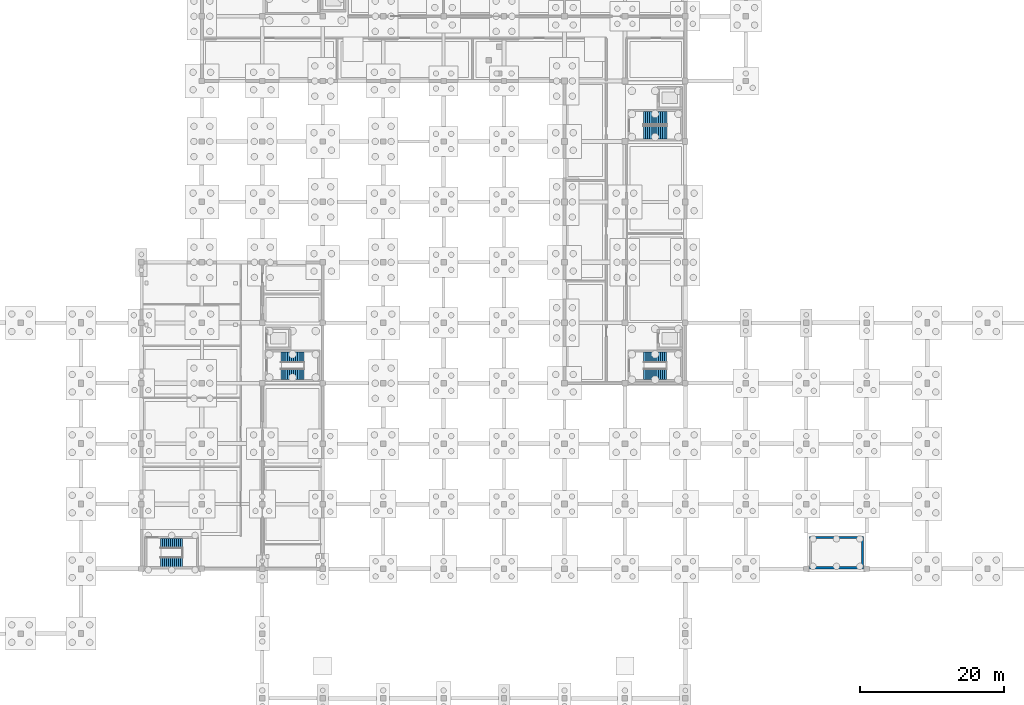
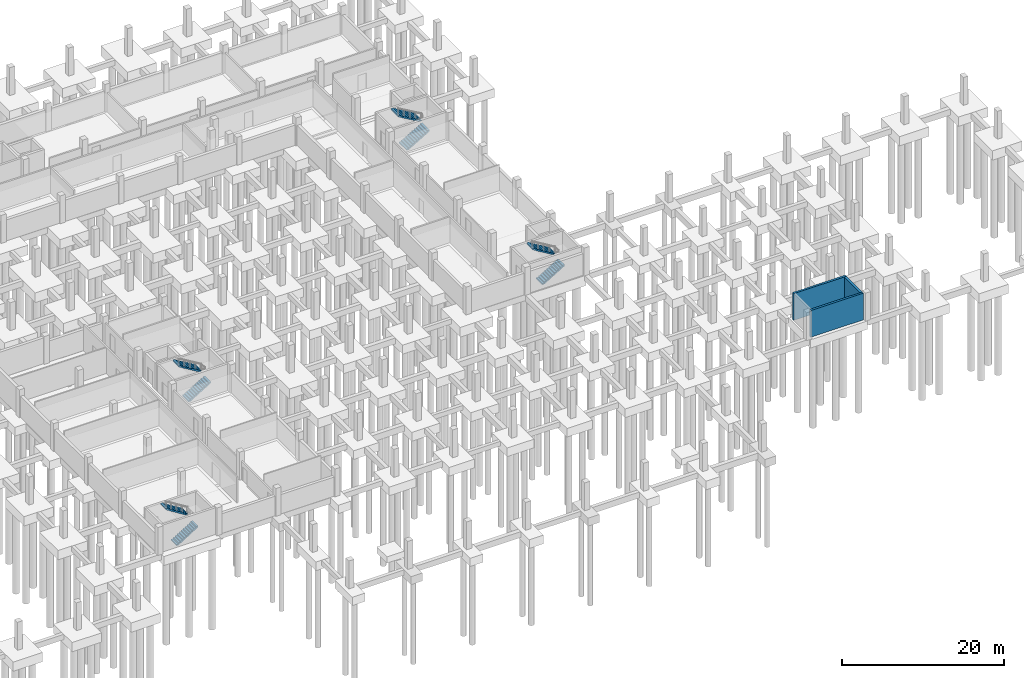
# One storey, part 16 of 20: 8 stair flights, 3 walls, 4 elements without a shape of their own.
"""IFC4 building model written with IfcOpenShell, lengths in metres."""

from ifc_helpers import new_model, si_unit, direction, frame, frame_2d, origin, place, context, subcontext, project, spatial, polyline, rectangle, outline, extrude, material, layer, layer_set, type_object, element, aggregate, save


model = new_model("IFC4")

# Units and contexts
model_context = context("Model", 3, precision=1e-05, world=origin(), true_north=direction((0.0, 1.0)))
body_context = subcontext(model_context, "Body", "Model", "MODEL_VIEW")
ifc_project = project(units=[si_unit("LENGTHUNIT", "METRE"), si_unit("AREAUNIT", "SQUARE_METRE"), si_unit("VOLUMEUNIT", "CUBIC_METRE"), si_unit("PLANEANGLEUNIT", "RADIAN"), si_unit("MASSUNIT", "GRAM", prefix="KILO")], contexts=[model_context])

# Site, building, storey
site_placement = place(None, origin())
site = spatial("IfcSite", under=ifc_project, at=site_placement, CompositionType="ELEMENT")
building_placement = place(site_placement, origin())
building = spatial("IfcBuilding", under=site, at=building_placement, Name="Vireocrest Preparatory School", CompositionType="ELEMENT")
storey_placement = place(building_placement, frame((0.0, 0.0, -4.199951171875)))
storey = spatial("IfcBuildingStorey", under=building, at=storey_placement, Name="B01", CompositionType="ELEMENT", Elevation=-4.199951171875)

# Walls
ifc_material_1 = material(Name="Concrete 45 MPa", Category="concrete")
ifc_layer = layer(ifc_material_1, 0.300048828125)
ifc_layer_set = layer_set([ifc_layer], Name="Concrete 45 MPa")
wall_type = type_object("IfcWallType", Name="Two-Hour RC Stair Shaft Shear Wall 300", PredefinedType="SHEAR", material=ifc_layer_set)
for number, where, z_axis, x_axis, name in (
    (1, (126.449951171875, 18.14990234375, 0.0), (0.0, 0.0, 1.0), (1.0, 0.0, 0.0), "Stair Core Shear Wall ST6 B01-S"),
    (2, (126.449951171875, 22.35009765625, 0.0), (0.0, 0.0, 1.0), (1.0, 0.0, 0.0), "Stair Core Shear Wall ST6 B01-N"),
):
    element("IfcWall", number, at=place(storey_placement, frame(where, z_axis=z_axis, x_axis=x_axis)), inside=storey, type_object=wall_type, Name=name, PredefinedType="SHEAR", context=body_context, shape_type="SweptSolid", body=[
        extrude(rectangle(XDim=7.5, YDim=0.300048828125, at=frame_2d((3.75, 0.0))), origin(), (0.0, 0.0, 1.0), 4.02490234375),
    ])
wall_placement = place(storey_placement, frame((133.800048828125, 18.300048828125, 0.0), z_axis=(0.0, 0.0, 1.0), x_axis=(0.0, 1.0, 0.0)))
element("IfcWall", 3, at=wall_placement, inside=storey, type_object=wall_type, Name="Stair Core Shear Wall ST6 B01-E", PredefinedType="SHEAR", context=body_context, shape_type="SweptSolid", body=[
    extrude(rectangle(XDim=3.89990234375, YDim=0.300048828125, at=frame_2d((1.949951171875, 0.0))), origin(), (0.0, 0.0, 1.0), 4.02490234375),
])

# Stair, stair flights
ifc_material_2 = material(Name="Concrete 40 MPa", Category="concrete")
stair_type_1 = type_object("IfcStairType", Name="Basement Service Stair 4200 Rise 1350 Wide", PredefinedType="HALF_TURN_STAIR", material=ifc_material_2)
stair_1_placement = place(storey_placement, origin())
stair_1 = element("IfcStair", 4, at=stair_1_placement, inside=storey, type_object=stair_type_1, Name="Two-Run Stair ST5-B01", PredefinedType="HALF_TURN_STAIR")
stair_flight_type_1 = type_object("IfcStairFlightType", Name="Stair Flight 2100 Rise 1350 Wide", PredefinedType="STRAIGHT", material=ifc_material_2)
stair_flight_1_placement = place(storey_placement, frame((36.260009765625, 18.955078125, 0.0), z_axis=(0.0, 0.0, 1.0), x_axis=(1.0, 0.0, 0.0)))
stair_flight_1 = element("IfcStairFlight", 5, at=stair_flight_1_placement, type_object=stair_flight_type_1, Name="Stair Flight ST5-B01-F1", NumberOfRisers=12, NumberOfTreads=11, PredefinedType="STRAIGHT", RiserHeight=0.175, TreadLength=0.28, context=body_context, shape_type="SweptSolid", body=[
    extrude(outline(polyline([(0.0, 0.0), (0.0, 0.175048828125), (0.280029296875, 0.175048828125), (0.280029296875, 0.35009765625), (0.56005859375, 0.35009765625), (0.56005859375, 0.52490234375), (0.840087890625, 0.52490234375), (0.840087890625, 0.699951171875), (1.1201171875, 0.699951171875), (1.1201171875, 0.875), (1.39990234375, 0.875), (1.39990234375, 1.050048828125), (1.679931640625, 1.050048828125), (1.679931640625, 1.22509765625), (1.9599609375, 1.22509765625), (1.9599609375, 1.39990234375), (2.239990234375, 1.39990234375), (2.239990234375, 1.574951171875), (2.52001953125, 1.574951171875), (2.52001953125, 1.75), (2.800048828125, 1.75), (2.800048828125, 1.925048828125), (3.080078125, 1.925048828125), (3.080078125, 2.10009765625), (3.080078125, 1.736328125), (0.3017578125, 0.0), (0.0, 0.0)])), frame((0.0, 0.675048828125, 0.0), z_axis=(0.0, -1.0, 0.0), x_axis=(1.0, 0.0, 0.0)), (0.0, 0.0, 1.0), 1.35009765625),
])
stair_flight_2_placement = place(storey_placement, frame((39.340087890625, 21.544921875, 2.099853515625), z_axis=(0.0, 0.0, 1.0), x_axis=(-1.0, 0.0, 0.0)))
stair_flight_2 = element("IfcStairFlight", 6, at=stair_flight_2_placement, type_object=stair_flight_type_1, Name="Stair Flight ST5-B01-F2", NumberOfRisers=12, NumberOfTreads=11, PredefinedType="STRAIGHT", RiserHeight=0.175, TreadLength=0.28, context=body_context, shape_type="SweptSolid", body=[
    extrude(outline(polyline([(0.0, 0.0), (0.0, 0.175048828125), (0.280029296875, 0.175048828125), (0.280029296875, 0.35009765625), (0.56005859375, 0.35009765625), (0.56005859375, 0.52490234375), (0.840087890625, 0.52490234375), (0.840087890625, 0.699951171875), (1.1201171875, 0.699951171875), (1.1201171875, 0.875), (1.39990234375, 0.875), (1.39990234375, 1.050048828125), (1.679931640625, 1.050048828125), (1.679931640625, 1.22509765625), (1.9599609375, 1.22509765625), (1.9599609375, 1.39990234375), (2.239990234375, 1.39990234375), (2.239990234375, 1.574951171875), (2.52001953125, 1.574951171875), (2.52001953125, 1.75), (2.800048828125, 1.75), (2.800048828125, 1.925048828125), (3.080078125, 1.925048828125), (3.080078125, 2.10009765625), (3.080078125, 1.736328125), (0.3017578125, 0.0), (0.0, 0.0)])), frame((0.0, 0.675048828125, 0.0), z_axis=(0.0, -1.0, 0.0), x_axis=(1.0, 0.0, 0.0)), (0.0, 0.0, 1.0), 1.35009765625),
])
aggregate(stair_1, [stair_flight_1, stair_flight_2])

stair_type_2 = type_object("IfcStairType", Name="Two-Run Exit Stair 4200 Rise 1500 Wide", PredefinedType="HALF_TURN_STAIR", material=ifc_material_2)
stair_2_placement = place(storey_placement, origin())
stair_2 = element("IfcStair", 7, at=stair_2_placement, inside=storey, type_object=stair_type_2, Name="Two-Run Stair ST1-B01", PredefinedType="HALF_TURN_STAIR")
stair_flight_type_2 = type_object("IfcStairFlightType", Name="Stair Flight 2100 Rise 1500 Wide", PredefinedType="STRAIGHT", material=ifc_material_2)
stair_flight_3_placement = place(storey_placement, frame((53.0048828125, 45.080078125, 0.0), z_axis=(0.0, 0.0, 1.0), x_axis=(1.0, 0.0, 0.0)))
stair_flight_3 = element("IfcStairFlight", 8, at=stair_flight_3_placement, type_object=stair_flight_type_2, Name="Stair Flight ST1-B01-F1", NumberOfRisers=12, NumberOfTreads=11, PredefinedType="STRAIGHT", RiserHeight=0.175, TreadLength=0.29, context=body_context, shape_type="SweptSolid", body=[
    extrude(outline(polyline([(0.0, 0.0), (0.0, 0.175048828125), (0.2900390625, 0.175048828125), (0.2900390625, 0.35009765625), (0.580078125, 0.35009765625), (0.580078125, 0.52490234375), (0.8701171875, 0.52490234375), (0.8701171875, 0.699951171875), (1.159912109375, 0.699951171875), (1.159912109375, 0.875), (1.449951171875, 0.875), (1.449951171875, 1.050048828125), (1.739990234375, 1.050048828125), (1.739990234375, 1.22509765625), (2.030029296875, 1.22509765625), (2.030029296875, 1.39990234375), (2.320068359375, 1.39990234375), (2.320068359375, 1.574951171875), (2.610107421875, 1.574951171875), (2.610107421875, 1.75), (2.89990234375, 1.75), (2.89990234375, 1.925048828125), (3.18994140625, 1.925048828125), (3.18994140625, 2.10009765625), (3.18994140625, 1.73828125), (0.3095703125, 0.0), (0.0, 0.0)])), frame((0.0, 0.75, 0.0), z_axis=(0.0, -1.0, 0.0), x_axis=(1.0, 0.0, 0.0)), (0.0, 0.0, 1.0), 1.5),
])
stair_flight_4_placement = place(storey_placement, frame((56.195068359375, 47.419921875, 2.099853515625), z_axis=(0.0, 0.0, 1.0), x_axis=(-1.0, 0.0, 0.0)))
stair_flight_4 = element("IfcStairFlight", 9, at=stair_flight_4_placement, type_object=stair_flight_type_2, Name="Stair Flight ST1-B01-F2", NumberOfRisers=12, NumberOfTreads=11, PredefinedType="STRAIGHT", RiserHeight=0.175, TreadLength=0.29, context=body_context, shape_type="SweptSolid", body=[
    extrude(outline(polyline([(0.0, 0.0), (0.0, 0.175048828125), (0.2900390625, 0.175048828125), (0.2900390625, 0.35009765625), (0.580078125, 0.35009765625), (0.580078125, 0.52490234375), (0.8701171875, 0.52490234375), (0.8701171875, 0.699951171875), (1.159912109375, 0.699951171875), (1.159912109375, 0.875), (1.449951171875, 0.875), (1.449951171875, 1.050048828125), (1.739990234375, 1.050048828125), (1.739990234375, 1.22509765625), (2.030029296875, 1.22509765625), (2.030029296875, 1.39990234375), (2.320068359375, 1.39990234375), (2.320068359375, 1.574951171875), (2.610107421875, 1.574951171875), (2.610107421875, 1.75), (2.89990234375, 1.75), (2.89990234375, 1.925048828125), (3.18994140625, 1.925048828125), (3.18994140625, 2.10009765625), (3.18994140625, 1.73828125), (0.3095703125, 0.0), (0.0, 0.0)])), frame((0.0, 0.75, 0.0), z_axis=(0.0, -1.0, 0.0), x_axis=(1.0, 0.0, 0.0)), (0.0, 0.0, 1.0), 1.5),
])
aggregate(stair_2, [stair_flight_3, stair_flight_4])

stair_3_placement = place(storey_placement, origin())
stair_3 = element("IfcStair", 10, at=stair_3_placement, inside=storey, type_object=stair_type_2, Name="Two-Run Stair ST2-B01", PredefinedType="HALF_TURN_STAIR")
stair_flight_5_placement = place(storey_placement, frame((103.405029296875, 45.080078125, 0.0), z_axis=(0.0, 0.0, 1.0), x_axis=(1.0, 0.0, 0.0)))
stair_flight_5 = element("IfcStairFlight", 11, at=stair_flight_5_placement, type_object=stair_flight_type_2, Name="Stair Flight ST2-B01-F1", NumberOfRisers=12, NumberOfTreads=11, PredefinedType="STRAIGHT", RiserHeight=0.175, TreadLength=0.29, context=body_context, shape_type="SweptSolid", body=[
    extrude(outline(polyline([(0.0, 0.0), (0.0, 0.175048828125), (0.2900390625, 0.175048828125), (0.2900390625, 0.35009765625), (0.580078125, 0.35009765625), (0.580078125, 0.52490234375), (0.8701171875, 0.52490234375), (0.8701171875, 0.699951171875), (1.159912109375, 0.699951171875), (1.159912109375, 0.875), (1.449951171875, 0.875), (1.449951171875, 1.050048828125), (1.739990234375, 1.050048828125), (1.739990234375, 1.22509765625), (2.030029296875, 1.22509765625), (2.030029296875, 1.39990234375), (2.320068359375, 1.39990234375), (2.320068359375, 1.574951171875), (2.610107421875, 1.574951171875), (2.610107421875, 1.75), (2.89990234375, 1.75), (2.89990234375, 1.925048828125), (3.18994140625, 1.925048828125), (3.18994140625, 2.10009765625), (3.18994140625, 1.73828125), (0.3095703125, 0.0), (0.0, 0.0)])), frame((0.0, 0.75, 0.0), z_axis=(0.0, -1.0, 0.0), x_axis=(1.0, 0.0, 0.0)), (0.0, 0.0, 1.0), 1.5),
])
stair_flight_6_placement = place(storey_placement, frame((106.594970703125, 47.419921875, 2.099853515625), z_axis=(0.0, 0.0, 1.0), x_axis=(-1.0, 0.0, 0.0)))
stair_flight_6 = element("IfcStairFlight", 12, at=stair_flight_6_placement, type_object=stair_flight_type_2, Name="Stair Flight ST2-B01-F2", NumberOfRisers=12, NumberOfTreads=11, PredefinedType="STRAIGHT", RiserHeight=0.175, TreadLength=0.29, context=body_context, shape_type="SweptSolid", body=[
    extrude(outline(polyline([(0.0, 0.0), (0.0, 0.175048828125), (0.2900390625, 0.175048828125), (0.2900390625, 0.35009765625), (0.580078125, 0.35009765625), (0.580078125, 0.52490234375), (0.8701171875, 0.52490234375), (0.8701171875, 0.699951171875), (1.159912109375, 0.699951171875), (1.159912109375, 0.875), (1.449951171875, 0.875), (1.449951171875, 1.050048828125), (1.739990234375, 1.050048828125), (1.739990234375, 1.22509765625), (2.030029296875, 1.22509765625), (2.030029296875, 1.39990234375), (2.320068359375, 1.39990234375), (2.320068359375, 1.574951171875), (2.610107421875, 1.574951171875), (2.610107421875, 1.75), (2.89990234375, 1.75), (2.89990234375, 1.925048828125), (3.18994140625, 1.925048828125), (3.18994140625, 2.10009765625), (3.18994140625, 1.73828125), (0.3095703125, 0.0), (0.0, 0.0)])), frame((0.0, 0.75, 0.0), z_axis=(0.0, -1.0, 0.0), x_axis=(1.0, 0.0, 0.0)), (0.0, 0.0, 1.0), 1.5),
])
aggregate(stair_3, [stair_flight_5, stair_flight_6])

stair_type_3 = type_object("IfcStairType", Name="Feature Library Stair 4200 Rise 1800 Wide", PredefinedType="HALF_TURN_STAIR", material=ifc_material_2)
stair_4_placement = place(storey_placement, origin())
stair_4 = element("IfcStair", 13, at=stair_4_placement, inside=storey, type_object=stair_type_3, Name="Two-Run Stair ST4-B01", PredefinedType="HALF_TURN_STAIR")
stair_flight_type_3 = type_object("IfcStairFlightType", Name="Stair Flight 2100 Rise 1800 Wide", PredefinedType="STRAIGHT", material=ifc_material_2)
stair_flight_7_placement = place(storey_placement, frame((103.35009765625, 78.655029296875, 0.0), z_axis=(0.0, 0.0, 1.0), x_axis=(1.0, 0.0, 0.0)))
stair_flight_7 = element("IfcStairFlight", 14, at=stair_flight_7_placement, type_object=stair_flight_type_3, Name="Stair Flight ST4-B01-F1", NumberOfRisers=12, NumberOfTreads=11, PredefinedType="STRAIGHT", RiserHeight=0.175, TreadLength=0.3, context=body_context, shape_type="SweptSolid", body=[
    extrude(outline(polyline([(0.0, 0.0), (0.0, 0.175048828125), (0.300048828125, 0.175048828125), (0.300048828125, 0.35009765625), (0.60009765625, 0.35009765625), (0.60009765625, 0.52490234375), (0.89990234375, 0.52490234375), (0.89990234375, 0.699951171875), (1.199951171875, 0.699951171875), (1.199951171875, 0.875), (1.5, 0.875), (1.5, 1.050048828125), (1.800048828125, 1.050048828125), (1.800048828125, 1.22509765625), (2.10009765625, 1.22509765625), (2.10009765625, 1.39990234375), (2.39990234375, 1.39990234375), (2.39990234375, 1.574951171875), (2.699951171875, 1.574951171875), (2.699951171875, 1.75), (3.0, 1.75), (3.0, 1.925048828125), (3.300048828125, 1.925048828125), (3.300048828125, 2.10009765625), (3.300048828125, 1.739990234375), (0.3173828125, 0.0), (0.0, 0.0)])), frame((0.0, 0.925048828125, 0.0), z_axis=(0.0, -1.0, 0.0), x_axis=(1.0, 0.0, 0.0)), (0.0, 0.0, 1.0), 1.85009765625),
])
stair_flight_8_placement = place(storey_placement, frame((106.64990234375, 80.64501953125, 2.099853515625), z_axis=(0.0, 0.0, 1.0), x_axis=(-1.0, 0.0, 0.0)))
stair_flight_8 = element("IfcStairFlight", 15, at=stair_flight_8_placement, type_object=stair_flight_type_3, Name="Stair Flight ST4-B01-F2", NumberOfRisers=12, NumberOfTreads=11, PredefinedType="STRAIGHT", RiserHeight=0.175, TreadLength=0.3, context=body_context, shape_type="SweptSolid", body=[
    extrude(outline(polyline([(0.0, 0.0), (0.0, 0.175048828125), (0.300048828125, 0.175048828125), (0.300048828125, 0.35009765625), (0.60009765625, 0.35009765625), (0.60009765625, 0.52490234375), (0.89990234375, 0.52490234375), (0.89990234375, 0.699951171875), (1.199951171875, 0.699951171875), (1.199951171875, 0.875), (1.5, 0.875), (1.5, 1.050048828125), (1.800048828125, 1.050048828125), (1.800048828125, 1.22509765625), (2.10009765625, 1.22509765625), (2.10009765625, 1.39990234375), (2.39990234375, 1.39990234375), (2.39990234375, 1.574951171875), (2.699951171875, 1.574951171875), (2.699951171875, 1.75), (3.0, 1.75), (3.0, 1.925048828125), (3.300048828125, 1.925048828125), (3.300048828125, 2.10009765625), (3.300048828125, 1.739990234375), (0.3173828125, 0.0), (0.0, 0.0)])), frame((0.0, 0.925048828125, 0.0), z_axis=(0.0, -1.0, 0.0), x_axis=(1.0, 0.0, 0.0)), (0.0, 0.0, 1.0), 1.85009765625),
])
aggregate(stair_4, [stair_flight_7, stair_flight_8])

save(model, "model.ifc")
